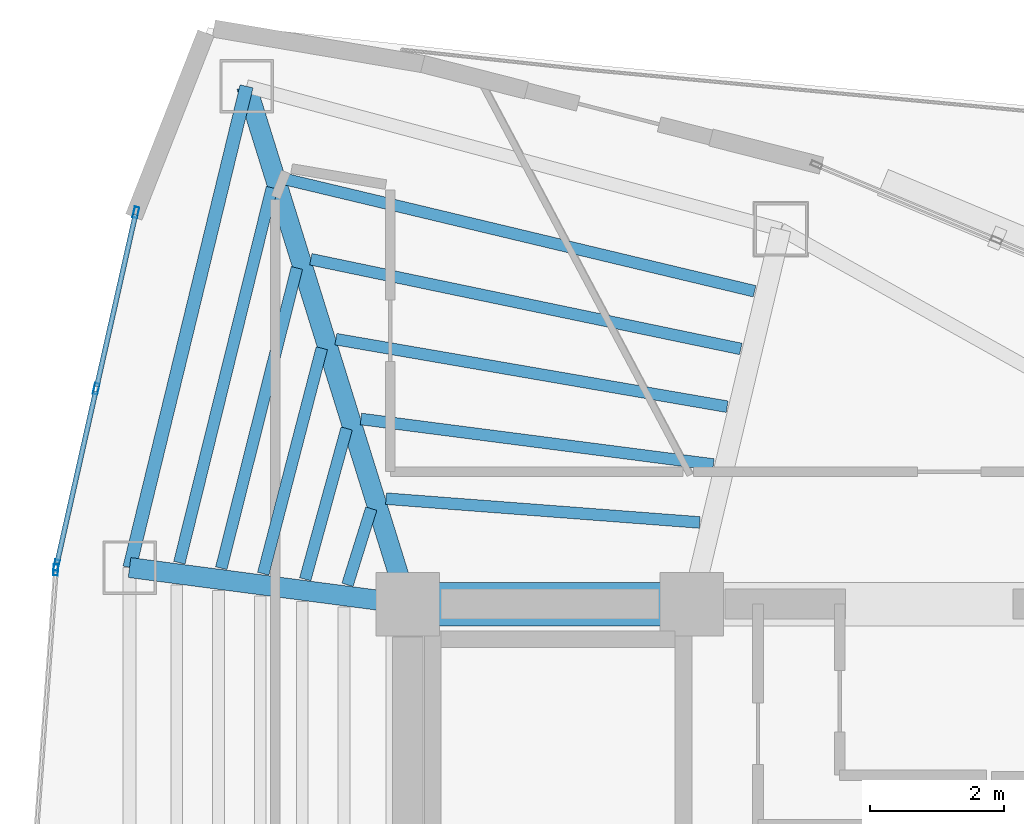
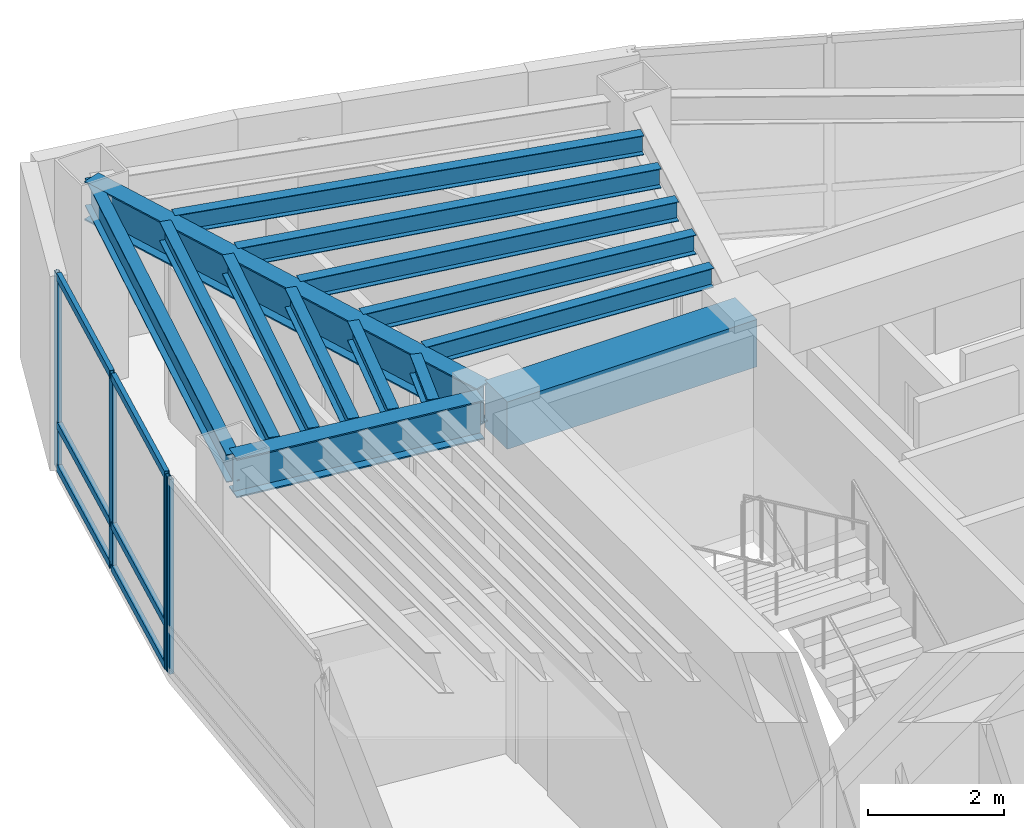
# One storey, part 7 of 16: 14 beams, 10 members, 2 elements without a shape of their own.
"""IFC4 building model written with IfcOpenShell, lengths in metres."""

import ifcopenshell
import ifcopenshell.guid

model = None  # the IFC model being written
_history = None  # IfcOwnerHistory: only IFC2X3 demands one
_inside = {}  # id of a spatial element -> (the spatial element, [elements in it])
_under = {}  # id of a project, library or spatial element -> (it, [spatial elements below it])
_declared = {}  # id of a project -> (the project, [libraries it declares])
_typed = {}  # id of a type object -> (the type object, [elements of that type])
_made_of = {}  # id of a material, layer set ... -> (it, [elements and type objects made of it])


def new_model(schema):
    """Start an empty IFC model of exactly this schema.

    Asked for "IFC4X3", IfcOpenShell would pick the latest addendum, in which some entities
    have other attributes; the version numbers below select the first issue.
    IFC2X3 requires an IfcOwnerHistory on every rooted entity: one is made here for all.
    """
    global model, _history
    if schema == "IFC4X3":
        model = ifcopenshell.file(schema_version=(4, 3, 0, 0))
    else:
        model = ifcopenshell.file(schema=schema)
    _inside.clear()
    _under.clear()
    _declared.clear()
    _typed.clear()
    _made_of.clear()
    _history = None
    if model.schema == "IFC2X3":
        org = make("IfcOrganization", Name="unknown")
        user = make(
            "IfcPersonAndOrganization",
            ThePerson=make("IfcPerson", FamilyName="unknown"),
            TheOrganization=org,
        )
        app = make(
            "IfcApplication",
            ApplicationDeveloper=org,
            Version="unknown",
            ApplicationFullName="unknown",
            ApplicationIdentifier="unknown",
        )
        _history = make(
            "IfcOwnerHistory",
            OwningUser=user,
            OwningApplication=app,
            ChangeAction="ADDED",
            CreationDate=0,
        )
    return model


def make(cls, **values):
    """One entity of the class cls with the attributes given. An attribute that is None is left unset."""
    return model.create_entity(
        cls, **{name: value for name, value in values.items() if value is not None}
    )


def rooted(cls, **values):
    """An entity with a GlobalId (a new one), such as an element, a storey or a relation."""
    return make(cls, GlobalId=ifcopenshell.guid.new(), OwnerHistory=_history, **values)


def si_unit(unit_type, name, prefix=None):
    """IfcSIUnit, for example si_unit("LENGTHUNIT", "METRE", prefix="MILLI")."""
    return make("IfcSIUnit", UnitType=unit_type, Prefix=prefix, Name=name)


def assignment(units):
    """IfcUnitAssignment: the units of a project."""
    return None if units is None else make("IfcUnitAssignment", Units=units)


def point(xyz):
    """IfcCartesianPoint."""
    return None if xyz is None else make("IfcCartesianPoint", Coordinates=xyz)


def direction(xyz):
    """IfcDirection."""
    return None if xyz is None else make("IfcDirection", DirectionRatios=xyz)


def frame(location, z_axis=None, x_axis=None):
    """IfcAxis2Placement3D, a coordinate frame: its origin and axes. An axis left out is left unset."""
    return make(
        "IfcAxis2Placement3D",
        Location=point(location),
        Axis=direction(z_axis),
        RefDirection=direction(x_axis),
    )


def frame_2d(location, x_axis=None):
    """IfcAxis2Placement2D, a coordinate frame in the plane: its origin and x axis."""
    return make(
        "IfcAxis2Placement2D", Location=point(location), RefDirection=direction(x_axis)
    )


def origin():
    """The frame at (0, 0, 0) with its axes left unset."""
    return frame((0.0, 0.0, 0.0))


def origin_2d():
    """The frame at (0, 0) in the plane with its x axis left unset."""
    return frame_2d((0.0, 0.0))


def place(relative_to, where):
    """IfcLocalPlacement: puts the frame where relative to a parent placement (None: the world)."""
    return make(
        "IfcLocalPlacement", PlacementRelTo=relative_to, RelativePlacement=where
    )


def context(
    kind, dimensions, precision=None, world=None, true_north=None, identifier=None
):
    """IfcGeometricRepresentationContext, for example the 3D "Model" context."""
    return make(
        "IfcGeometricRepresentationContext",
        ContextIdentifier=identifier,
        ContextType=kind,
        CoordinateSpaceDimension=dimensions,
        Precision=precision,
        WorldCoordinateSystem=world,
        TrueNorth=true_north,
    )


def subcontext(parent, identifier, kind, view, scale=None):
    """IfcGeometricRepresentationSubContext, for example "Body" below "Model"."""
    return make(
        "IfcGeometricRepresentationSubContext",
        ContextIdentifier=identifier,
        ContextType=kind,
        ParentContext=parent,
        TargetScale=scale,
        TargetView=view,
    )


def project(units=None, contexts=None):
    """IfcProject with its units and contexts."""
    return rooted(
        "IfcProject",
        Name="project",
        RepresentationContexts=contexts,
        UnitsInContext=assignment(units),
    )


def spatial(cls, under=None, at=None, **own):
    """A site, building, storey or space (cls), placed at a placement, below another one or the project."""
    s = rooted(cls, ObjectPlacement=at, **own)
    if under is not None:
        _under.setdefault(under.id(), (under, []))[1].append(s)
    return s


def profile(cls, at=None, kind="AREA", **sizes):
    """A parametric profile (cls). Its sizes go by their IFC names, for example OverallWidth=200.0."""
    return make(cls, ProfileType=kind, Position=at, **sizes)


def rectangle(**sizes):
    """IfcRectangleProfileDef."""
    return profile("IfcRectangleProfileDef", **sizes)


def hollow_rectangle(**sizes):
    """IfcRectangleHollowProfileDef."""
    return profile("IfcRectangleHollowProfileDef", **sizes)


def i_section(**sizes):
    """IfcIShapeProfileDef."""
    return profile("IfcIShapeProfileDef", **sizes)


def extrude(swept, where, along, depth):
    """IfcExtrudedAreaSolid: the profile swept, set in the frame where, extruded along a direction by depth."""
    return make(
        "IfcExtrudedAreaSolid",
        SweptArea=swept,
        Position=where,
        ExtrudedDirection=direction(along),
        Depth=depth,
    )


def shape(context_of_items, identifier, shape_type, items):
    """IfcShapeRepresentation: the items that make up one representation, for example the "Body"."""
    return make(
        "IfcShapeRepresentation",
        ContextOfItems=context_of_items,
        RepresentationIdentifier=identifier,
        RepresentationType=shape_type,
        Items=items,
    )


def material(Name=None, Category=None):
    """IfcMaterial."""
    return make("IfcMaterial", Name=Name, Category=Category)


def layer(
    of_material, thickness, ventilated=None, Name=None, Category=None, Priority=None
):
    """IfcMaterialLayer: one layer of a wall or slab, of a material (None: an air gap)."""
    return make(
        "IfcMaterialLayer",
        Material=of_material,
        LayerThickness=thickness,
        IsVentilated=ventilated,
        Name=Name,
        Category=Category,
        Priority=Priority,
    )


def layer_set(layers, Name=None):
    """IfcMaterialLayerSet."""
    return make("IfcMaterialLayerSet", MaterialLayers=layers, LayerSetName=Name)


def material_profile(
    of_material, cross_section, Name=None, Category=None, Priority=None
):
    """IfcMaterialProfile: a cross section and its material."""
    return make(
        "IfcMaterialProfile",
        Name=Name,
        Material=of_material,
        Profile=cross_section,
        Priority=Priority,
        Category=Category,
    )


def profile_set(profiles, Name=None, composite=None):
    """IfcMaterialProfileSet."""
    return make(
        "IfcMaterialProfileSet",
        Name=Name,
        MaterialProfiles=profiles,
        CompositeProfile=composite,
    )


def made_of(thing, what):
    """Note that an element or type object is made of a material, layer set ...; save() writes the relation."""
    if what is not None:
        _made_of.setdefault(what.id(), (what, []))[1].append(thing)
    return thing


def type_object(cls, material=None, **own):
    """A type object (cls), such as IfcWallType, which elements share."""
    return made_of(rooted(cls, **own), material)


def element(
    cls,
    number,
    at=None,
    inside=None,
    cuts=None,
    type_object=None,
    material=None,
    context=None,
    identifier="Body",
    shape_type=None,
    held_by="IfcProductDefinitionShape",
    body=None,
    shapes=None,
    **own,
):
    """One element of the class cls, such as IfcWall. Its Tag is "e" and its number.

    at: its placement. inside: the storey or other place that contains it. cuts: it is an
    opening in that element (IfcRelVoidsElement). A single representation is given by context,
    identifier, shape_type and body (its items); several are given by shapes. held_by: the class
    of the entity that holds the representations. save() writes the other relations.
    """
    e = rooted(cls, Tag="e%d" % number, ObjectPlacement=at, **own)
    if body is not None:
        shapes = [shape(context, identifier, shape_type, body)]
    if shapes is not None:
        e.Representation = make(held_by, Representations=shapes)
    if inside is not None:
        _inside.setdefault(inside.id(), (inside, []))[1].append(e)
    if cuts is not None:
        rooted(
            "IfcRelVoidsElement", RelatingBuildingElement=cuts, RelatedOpeningElement=e
        )
    if type_object is not None:
        _typed.setdefault(type_object.id(), (type_object, []))[1].append(e)
    return made_of(e, material)


def aggregate(whole, parts):
    """IfcRelAggregates: a whole, such as a stair, and the parts it consists of."""
    return rooted("IfcRelAggregates", RelatingObject=whole, RelatedObjects=parts)


def save(model, path):
    """Write the relations noted so far, then the file.

    IfcRelAggregates (storeys below a building ...), IfcRelContainedInSpatialStructure (elements
    in a storey), IfcRelDefinesByType, IfcRelAssociatesMaterial and IfcRelDeclares: one each for
    every whole, place, type object, material and project.
    """
    for whole, parts in _under.values():
        aggregate(whole, parts)
    for where, things in _inside.values():
        rooted(
            "IfcRelContainedInSpatialStructure",
            RelatedElements=things,
            RelatingStructure=where,
        )
    for kind, things in _typed.values():
        rooted("IfcRelDefinesByType", RelatedObjects=things, RelatingType=kind)
    for what, things in _made_of.values():
        rooted("IfcRelAssociatesMaterial", RelatedObjects=things, RelatingMaterial=what)
    for by, libraries in _declared.values():
        rooted("IfcRelDeclares", RelatingContext=by, RelatedDefinitions=libraries)
    model.write(path)


model = new_model("IFC4")

# Units and contexts
model_context = context("Model", 3, precision=1e-05, world=origin(), true_north=direction((0.0, 1.0)))
body_context = subcontext(model_context, "Body", "Model", "MODEL_VIEW")
ifc_project = project(units=[si_unit("LENGTHUNIT", "METRE"), si_unit("AREAUNIT", "SQUARE_METRE"), si_unit("VOLUMEUNIT", "CUBIC_METRE"), si_unit("PLANEANGLEUNIT", "RADIAN"), si_unit("MASSUNIT", "GRAM", prefix="KILO")], contexts=[model_context])

# Site, building, storey
site_placement = place(None, origin())
site = spatial("IfcSite", under=ifc_project, at=site_placement, CompositionType="ELEMENT")
building_placement = place(site_placement, origin())
building = spatial("IfcBuilding", under=site, at=building_placement, Name="Menara Vayukalpa", CompositionType="ELEMENT")
storey_placement = place(building_placement, frame((0.0, 0.0, 247.139892578125)))
storey = spatial("IfcBuildingStorey", under=building, at=storey_placement, Name="L62", CompositionType="ELEMENT", Elevation=247.139892578125)

# Beams
ifc_material_1 = material(Name="Concrete C60/75", Category="concrete")
ifc_material_profile_1 = material_profile(ifc_material_1, rectangle(XDim=0.64990234375, YDim=0.85009765625, at=origin_2d()), Name="RC 650x850")
ifc_profile_set_1 = profile_set([ifc_material_profile_1], Name="Concrete C60/75")
beam_type_1 = type_object("IfcBeamType", Name="BM-CB1", PredefinedType="BEAM", material=ifc_profile_set_1)
beam_1_placement = place(storey_placement, frame((17.800048828125, 26.800048828125, 3.0751953125), z_axis=(1.0, 0.0, 0.0), x_axis=(0.0, 1.0, 0.0)))
element("IfcBeam", 1, at=beam_1_placement, inside=storey, type_object=beam_type_1, Name="L62 Core Tie Beam CBR4", PredefinedType="BEAM", context=body_context, shape_type="SweptSolid", body=[
    extrude(rectangle(XDim=0.64990234375, YDim=0.85009765625, at=origin_2d()), origin(), (0.0, 0.0, 1.0), 4.25),
])
ifc_material_2 = material(Name="Steel S355", Category="steel")
ifc_material_profile_2 = material_profile(ifc_material_2, i_section(OverallWidth=0.300048828125, OverallDepth=0.699951171875, WebThickness=0.012939453125, FlangeThickness=0.02392578125, at=origin_2d()), Name="WF 700x300x13x24")
ifc_profile_set_2 = profile_set([ifc_material_profile_2], Name="Steel S355")
beam_type_2 = type_object("IfcBeamType", Name="BM-PG5", PredefinedType="BEAM", material=ifc_profile_set_2)
beam_2_placement = place(storey_placement, frame((17.7255859375, 27.038818359375, 3.150146484375), z_axis=(-0.297213792842, 0.954810955815, 0.0), x_axis=(-0.954810955815, -0.297213792842, 0.0)))
element("IfcBeam", 2, at=beam_2_placement, inside=storey, type_object=beam_type_2, Name="L62 Primary Radial Girder RG04", PredefinedType="BEAM", context=body_context, shape_type="SweptSolid", body=[
    extrude(i_section(OverallWidth=0.300048828125, OverallDepth=0.699951171875, WebThickness=0.012939453125, FlangeThickness=0.02392578125, at=origin_2d()), origin(), (0.0, 0.0, 1.0), 7.861083984375),
])
beam_3_placement = place(storey_placement, frame((17.552001953125, 26.83251953125, 3.150146484375), z_axis=(-0.991477860763, 0.130275291662, 0.0), x_axis=(-0.130275291662, -0.991477860763, 0.0)))
element("IfcBeam", 3, at=beam_3_placement, inside=storey, type_object=beam_type_2, Name="L62 Primary Radial Girder RG05", PredefinedType="BEAM", context=body_context, shape_type="SweptSolid", body=[
    extrude(i_section(OverallWidth=0.300048828125, OverallDepth=0.699951171875, WebThickness=0.012939453125, FlangeThickness=0.02392578125, at=origin_2d()), origin(), (0.0, 0.0, 1.0), 3.94677734375),
])
ifc_material_3 = material(Name="Steel S355", Category="steel")
ifc_material_profile_3 = material_profile(ifc_material_3, i_section(OverallWidth=0.175048828125, OverallDepth=0.35009765625, WebThickness=0.007080078125, FlangeThickness=0.010986328125, at=origin_2d()), Name="WF 350x175x7x11")
ifc_profile_set_3 = profile_set([ifc_material_profile_3], Name="Steel S355")
beam_type_3 = type_object("IfcBeamType", Name="BM-SJ3", PredefinedType="JOIST", material=ifc_profile_set_3)
beam_4_placement = place(storey_placement, frame((22.16748046875, 28.02099609375, 3.3251953125), z_axis=(-0.997135697669, 0.075633328852, 0.0), x_axis=(-0.075633328852, -0.997135697669, 0.0)))
element("IfcBeam", 4, at=beam_4_placement, inside=storey, type_object=beam_type_3, Name="L62 Secondary Floor Joist SJ03-1", PredefinedType="JOIST", context=body_context, shape_type="SweptSolid", body=[
    extrude(i_section(OverallWidth=0.175048828125, OverallDepth=0.35009765625, WebThickness=0.007080078125, FlangeThickness=0.010986328125, at=origin_2d()), origin(), (0.0, 0.0, 1.0), 4.706298828125),
])
beam_5_placement = place(storey_placement, frame((22.372314453125, 28.887939453125, 3.3251953125), z_axis=(-0.991763759233, 0.128080622546, 0.0), x_axis=(-0.128080622546, -0.991763759233, 0.0)))
element("IfcBeam", 5, at=beam_5_placement, inside=storey, type_object=beam_type_3, Name="L62 Secondary Floor Joist SJ03-2", PredefinedType="JOIST", context=body_context, shape_type="SweptSolid", body=[
    extrude(i_section(OverallWidth=0.175048828125, OverallDepth=0.35009765625, WebThickness=0.007080078125, FlangeThickness=0.010986328125, at=origin_2d()), origin(), (0.0, 0.0, 1.0), 5.316162109375),
])
beam_6_placement = place(storey_placement, frame((22.577392578125, 29.7529296875, 3.3251953125), z_axis=(-0.985440172071, 0.170022549294, 0.0), x_axis=(-0.170022549294, -0.985440172071, 0.0)))
element("IfcBeam", 6, at=beam_6_placement, inside=storey, type_object=beam_type_3, Name="L62 Secondary Floor Joist SJ03-3", PredefinedType="JOIST", context=body_context, shape_type="SweptSolid", body=[
    extrude(i_section(OverallWidth=0.175048828125, OverallDepth=0.35009765625, WebThickness=0.007080078125, FlangeThickness=0.010986328125, at=origin_2d()), origin(), (0.0, 0.0, 1.0), 5.93896484375),
])
beam_7_placement = place(storey_placement, frame((22.7822265625, 30.61669921875, 3.3251953125), z_axis=(-0.978941451827, 0.204141210671, 0.0), x_axis=(-0.204141210671, -0.978941451827, 0.0)))
element("IfcBeam", 7, at=beam_7_placement, inside=storey, type_object=beam_type_3, Name="L62 Secondary Floor Joist SJ03-4", PredefinedType="JOIST", context=body_context, shape_type="SweptSolid", body=[
    extrude(i_section(OverallWidth=0.175048828125, OverallDepth=0.35009765625, WebThickness=0.007080078125, FlangeThickness=0.010986328125, at=origin_2d()), origin(), (0.0, 0.0, 1.0), 6.570556640625),
])
beam_8_placement = place(storey_placement, frame((22.9873046875, 31.479248046875, 3.3251953125), z_axis=(-0.972642465748, 0.232307197097, 0.0), x_axis=(-0.232307197097, -0.972642465748, 0.0)))
element("IfcBeam", 8, at=beam_8_placement, inside=storey, type_object=beam_type_3, Name="L62 Secondary Floor Joist SJ03-5", PredefinedType="JOIST", context=body_context, shape_type="SweptSolid", body=[
    extrude(i_section(OverallWidth=0.175048828125, OverallDepth=0.35009765625, WebThickness=0.007080078125, FlangeThickness=0.010986328125, at=origin_2d()), origin(), (0.0, 0.0, 1.0), 7.20947265625),
])
beam_9_placement = place(storey_placement, frame((17.25439453125, 28.2275390625, 3.3251953125), z_axis=(-0.298018933644, -0.954559958929, 0.0), x_axis=(0.954559958929, -0.298018933644, 0.0)))
element("IfcBeam", 9, at=beam_9_placement, inside=storey, type_object=beam_type_3, Name="L62 Secondary Floor Joist SJ04-1", PredefinedType="JOIST", context=body_context, shape_type="SweptSolid", body=[
    extrude(i_section(OverallWidth=0.175048828125, OverallDepth=0.35009765625, WebThickness=0.007080078125, FlangeThickness=0.010986328125, at=origin_2d()), origin(), (0.0, 0.0, 1.0), 1.1943359375),
])
beam_10_placement = place(storey_placement, frame((16.88623046875, 29.4267578125, 3.3251953125), z_axis=(-0.264918721837, -0.9642707456, 0.0), x_axis=(0.9642707456, -0.264918721837, 0.0)))
element("IfcBeam", 10, at=beam_10_placement, inside=storey, type_object=beam_type_3, Name="L62 Secondary Floor Joist SJ04-2", PredefinedType="JOIST", context=body_context, shape_type="SweptSolid", body=[
    extrude(i_section(OverallWidth=0.175048828125, OverallDepth=0.35009765625, WebThickness=0.007080078125, FlangeThickness=0.010986328125, at=origin_2d()), origin(), (0.0, 0.0, 1.0), 2.3388671875),
])
beam_11_placement = place(storey_placement, frame((16.5146484375, 30.627197265625, 3.3251953125), z_axis=(-0.251492114719, -0.96785934734, 0.0), x_axis=(0.96785934734, -0.251492114719, 0.0)))
element("IfcBeam", 11, at=beam_11_placement, inside=storey, type_object=beam_type_3, Name="L62 Secondary Floor Joist SJ04-3", PredefinedType="JOIST", context=body_context, shape_type="SweptSolid", body=[
    extrude(i_section(OverallWidth=0.175048828125, OverallDepth=0.35009765625, WebThickness=0.007080078125, FlangeThickness=0.010986328125, at=origin_2d()), origin(), (0.0, 0.0, 1.0), 3.485107421875),
])
beam_12_placement = place(storey_placement, frame((16.14208984375, 31.82763671875, 3.3251953125), z_axis=(-0.244247063973, -0.969713035769, 0.0), x_axis=(0.969713035769, -0.244247063973, 0.0)))
element("IfcBeam", 12, at=beam_12_placement, inside=storey, type_object=beam_type_3, Name="L62 Secondary Floor Joist SJ04-4", PredefinedType="JOIST", context=body_context, shape_type="SweptSolid", body=[
    extrude(i_section(OverallWidth=0.175048828125, OverallDepth=0.35009765625, WebThickness=0.007080078125, FlangeThickness=0.010986328125, at=origin_2d()), origin(), (0.0, 0.0, 1.0), 4.630859375),
])
beam_13_placement = place(storey_placement, frame((15.768798828125, 33.028564453125, 3.3251953125), z_axis=(-0.239671161383, -0.970854126222, 0.0), x_axis=(0.970854126222, -0.239671161383, 0.0)))
element("IfcBeam", 13, at=beam_13_placement, inside=storey, type_object=beam_type_3, Name="L62 Secondary Floor Joist SJ04-5", PredefinedType="JOIST", context=body_context, shape_type="SweptSolid", body=[
    extrude(i_section(OverallWidth=0.175048828125, OverallDepth=0.35009765625, WebThickness=0.007080078125, FlangeThickness=0.010986328125, at=origin_2d()), origin(), (0.0, 0.0, 1.0), 5.77783203125),
])
ifc_material_4 = material(Name="Steel S355", Category="steel")
ifc_material_profile_4 = material_profile(ifc_material_4, i_section(OverallWidth=0.199951171875, OverallDepth=0.5, WebThickness=0.010009765625, FlangeThickness=0.01611328125, at=origin_2d()), Name="WF 500x200x10x16")
ifc_profile_set_4 = profile_set([ifc_material_profile_4], Name="Steel S355")
beam_type_4 = type_object("IfcBeamType", Name="BM-SP3", PredefinedType="SPANDREL", material=ifc_profile_set_4)
beam_14_placement = place(storey_placement, frame((15.38916015625, 34.544677734375, 3.25), z_axis=(-0.236272525754, -0.97168682896, 0.0), x_axis=(0.97168682896, -0.236272525754, 0.0)))
element("IfcBeam", 14, at=beam_14_placement, inside=storey, type_object=beam_type_4, Name="L62 Perimeter Spandrel Beam SP04", PredefinedType="SPANDREL", context=body_context, shape_type="SweptSolid", body=[
    extrude(i_section(OverallWidth=0.199951171875, OverallDepth=0.5, WebThickness=0.010009765625, FlangeThickness=0.01611328125, at=origin_2d()), origin(), (0.0, 0.0, 1.0), 7.40771484375),
])

# Curtain wall, members
ifc_material_5 = material(Name="Anodised Terracotta Aluminium Alloy 6063-T6", Category="masonry")
ifc_layer = layer(ifc_material_5, 0.1650390625)
ifc_layer_set = layer_set([ifc_layer], Name="Anodised Terracotta Aluminium Alloy 6063-T6")
curtain_wall_type = type_object("IfcCurtainWallType", Name="CW-CW6", PredefinedType="USERDEFINED", material=ifc_layer_set)
curtain_wall_1_placement = place(storey_placement, origin())
curtain_wall_1 = element("IfcCurtainWall", 15, at=curtain_wall_1_placement, inside=storey, type_object=curtain_wall_type, Name="L62 Observation and Executive Curtain Wall CW6 10", ObjectType="UNITISED", PredefinedType="USERDEFINED")
ifc_material_6 = material(Name="Anodised Terracotta Aluminium Alloy 6063-T6", Category="masonry")
ifc_material_profile_5 = material_profile(ifc_material_6, hollow_rectangle(XDim=0.070068359375, YDim=0.1650390625, WallThickness=0.00390625, at=origin_2d()), Name="ALU 70x165x4")
ifc_profile_set_5 = profile_set([ifc_material_profile_5], Name="Anodised Terracotta Aluminium Alloy 6063-T6")
member_type_1 = type_object("IfcMemberType", Name="CWM-CW6", PredefinedType="MULLION", material=ifc_profile_set_5)
member_1_placement = place(storey_placement, frame((13.734375, 32.6591796875, 0.0), z_axis=(0.0, 0.0, 1.0), x_axis=(0.975609169922, -0.21951480033, 0.0)))
member_1 = element("IfcMember", 16, at=member_1_placement, type_object=member_type_1, Name="CW6 mullion 1", PredefinedType="MULLION", context=body_context, shape_type="SweptSolid", body=[
    extrude(hollow_rectangle(XDim=0.070068359375, YDim=0.1650390625, WallThickness=0.00390625, at=origin_2d()), origin(), (0.0, 0.0, 1.0), 3.5),
])
member_2_placement = place(storey_placement, frame((13.140380859375, 30.02001953125, 0.0), z_axis=(0.0, 0.0, 1.0), x_axis=(0.975609169922, -0.21951480033, 0.0)))
member_2 = element("IfcMember", 17, at=member_2_placement, type_object=member_type_1, Name="CW6 mullion 2", PredefinedType="MULLION", context=body_context, shape_type="SweptSolid", body=[
    extrude(hollow_rectangle(XDim=0.070068359375, YDim=0.1650390625, WallThickness=0.00390625, at=origin_2d()), origin(), (0.0, 0.0, 1.0), 3.5),
])
member_3_placement = place(storey_placement, frame((12.546630859375, 27.380859375, 0.0), z_axis=(0.0, 0.0, 1.0), x_axis=(0.975609169922, -0.21951480033, 0.0)))
member_3 = element("IfcMember", 18, at=member_3_placement, type_object=member_type_1, Name="CW6 mullion 3", PredefinedType="MULLION", context=body_context, shape_type="SweptSolid", body=[
    extrude(hollow_rectangle(XDim=0.070068359375, YDim=0.1650390625, WallThickness=0.00390625, at=origin_2d()), origin(), (0.0, 0.0, 1.0), 3.5),
])

# Curtain wall, member
curtain_wall_2_placement = place(storey_placement, origin())
curtain_wall_2 = element("IfcCurtainWall", 19, at=curtain_wall_2_placement, inside=storey, type_object=curtain_wall_type, Name="L62 Observation and Executive Curtain Wall CW6 11", ObjectType="UNITISED", PredefinedType="USERDEFINED")
member_4_placement = place(storey_placement, frame((12.536376953125, 27.311767578125, 0.0), z_axis=(0.0, 0.0, 1.0), x_axis=(0.997199344663, -0.074789484574, 0.0)))
member_4 = element("IfcMember", 20, at=member_4_placement, type_object=member_type_1, Name="CW6 mullion 1", PredefinedType="MULLION", context=body_context, shape_type="SweptSolid", body=[
    extrude(hollow_rectangle(XDim=0.070068359375, YDim=0.1650390625, WallThickness=0.00390625, at=origin_2d()), origin(), (0.0, 0.0, 1.0), 3.5),
])
aggregate(curtain_wall_2, [member_4])

# Member
ifc_material_7 = material(Name="Anodised Terracotta Aluminium Alloy 6063-T6", Category="masonry")
ifc_material_profile_6 = material_profile(ifc_material_7, hollow_rectangle(XDim=0.074951171875, YDim=0.135009765625, WallThickness=0.00390625, at=origin_2d()), Name="ALU 75x135x4")
ifc_profile_set_6 = profile_set([ifc_material_profile_6], Name="Anodised Terracotta Aluminium Alloy 6063-T6")
member_type_2 = type_object("IfcMemberType", Name="CWT-CW6", PredefinedType="USERDEFINED", material=ifc_profile_set_6)
member_5_placement = place(storey_placement, frame((13.7265625, 32.625, 0.03759765625), z_axis=(-0.219490148434, -0.975614716341, 0.0), x_axis=(0.975614716341, -0.219490148434, 0.0)))
member_5 = element("IfcMember", 21, at=member_5_placement, type_object=member_type_2, Name="CW6 transom 1.1", ObjectType="TRANSOM", PredefinedType="USERDEFINED", context=body_context, shape_type="SweptSolid", body=[
    extrude(hollow_rectangle(XDim=0.074951171875, YDim=0.135009765625, WallThickness=0.00390625, at=origin_2d()), origin(), (0.0, 0.0, 1.0), 2.635009765625),
])

member_6_placement = place(storey_placement, frame((13.7265625, 32.625, 0.800048828125), z_axis=(-0.219490148434, -0.975614716341, 0.0), x_axis=(0.975614716341, -0.219490148434, 0.0)))
member_6 = element("IfcMember", 22, at=member_6_placement, type_object=member_type_2, Name="CW6 transom 1.2", ObjectType="TRANSOM", PredefinedType="USERDEFINED", context=body_context, shape_type="SweptSolid", body=[
    extrude(hollow_rectangle(XDim=0.074951171875, YDim=0.135009765625, WallThickness=0.00390625, at=origin_2d()), origin(), (0.0, 0.0, 1.0), 2.635009765625),
])

member_7_placement = place(storey_placement, frame((13.7265625, 32.625, 3.462646484375), z_axis=(-0.219490148434, -0.975614716341, 0.0), x_axis=(0.975614716341, -0.219490148434, 0.0)))
member_7 = element("IfcMember", 23, at=member_7_placement, type_object=member_type_2, Name="CW6 transom 1.3", ObjectType="TRANSOM", PredefinedType="USERDEFINED", context=body_context, shape_type="SweptSolid", body=[
    extrude(hollow_rectangle(XDim=0.074951171875, YDim=0.135009765625, WallThickness=0.00390625, at=origin_2d()), origin(), (0.0, 0.0, 1.0), 2.635009765625),
])

member_8_placement = place(storey_placement, frame((13.1328125, 29.98583984375, 0.03759765625), z_axis=(-0.219490148434, -0.975614716341, 0.0), x_axis=(0.975614716341, -0.219490148434, 0.0)))
member_8 = element("IfcMember", 24, at=member_8_placement, type_object=member_type_2, Name="CW6 transom 2.1", ObjectType="TRANSOM", PredefinedType="USERDEFINED", context=body_context, shape_type="SweptSolid", body=[
    extrude(hollow_rectangle(XDim=0.074951171875, YDim=0.135009765625, WallThickness=0.00390625, at=origin_2d()), origin(), (0.0, 0.0, 1.0), 2.635009765625),
])

member_9_placement = place(storey_placement, frame((13.1328125, 29.98583984375, 0.800048828125), z_axis=(-0.219490148434, -0.975614716341, 0.0), x_axis=(0.975614716341, -0.219490148434, 0.0)))
member_9 = element("IfcMember", 25, at=member_9_placement, type_object=member_type_2, Name="CW6 transom 2.2", ObjectType="TRANSOM", PredefinedType="USERDEFINED", context=body_context, shape_type="SweptSolid", body=[
    extrude(hollow_rectangle(XDim=0.074951171875, YDim=0.135009765625, WallThickness=0.00390625, at=origin_2d()), origin(), (0.0, 0.0, 1.0), 2.635009765625),
])

member_10_placement = place(storey_placement, frame((13.1328125, 29.98583984375, 3.462646484375), z_axis=(-0.219490148434, -0.975614716341, 0.0), x_axis=(0.975614716341, -0.219490148434, 0.0)))
member_10 = element("IfcMember", 26, at=member_10_placement, type_object=member_type_2, Name="CW6 transom 2.3", ObjectType="TRANSOM", PredefinedType="USERDEFINED", context=body_context, shape_type="SweptSolid", body=[
    extrude(hollow_rectangle(XDim=0.074951171875, YDim=0.135009765625, WallThickness=0.00390625, at=origin_2d()), origin(), (0.0, 0.0, 1.0), 2.635009765625),
])

aggregate(curtain_wall_1, [member_1, member_2, member_3, member_5, member_6, member_7, member_8, member_9, member_10])

save(model, "model.ifc")
